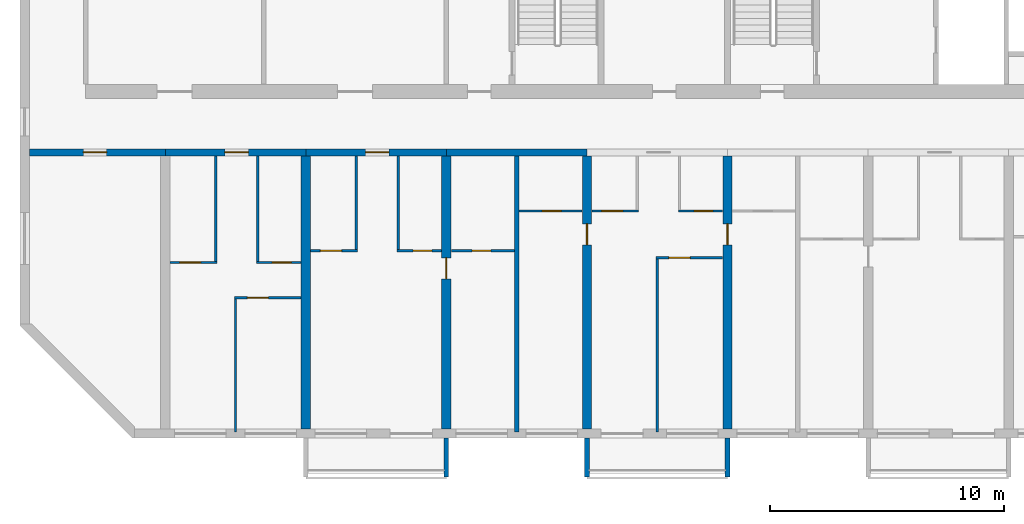
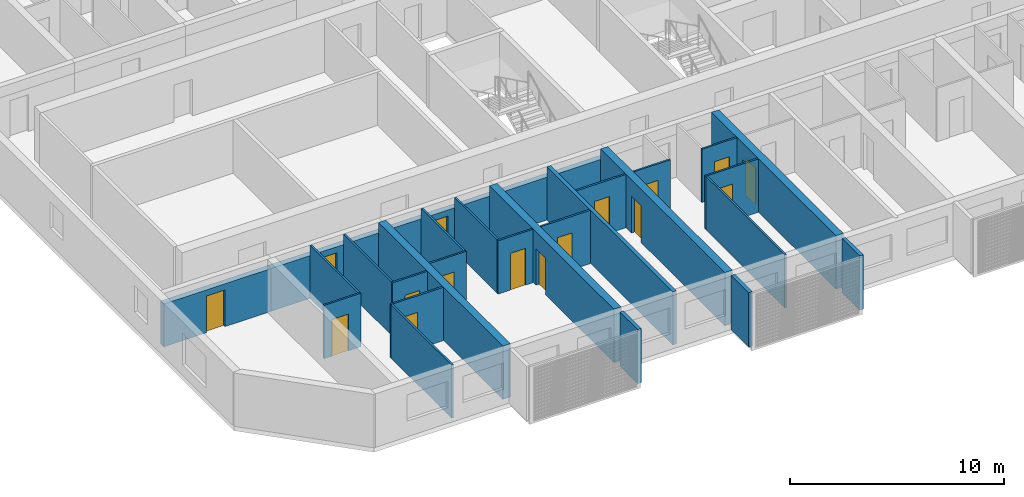
# One storey, part 2 of 38: 28 walls, 16 doors, 16 openings.
"""IFC4 building model written with IfcOpenShell, lengths in metres."""

from ifc_helpers import new_model, si_unit, direction, frame, frame_2d, origin, place, context, subcontext, project, spatial, polyline, rectangle, outline, extrude, source, transform, mapped, material, layer, layer_set, type_object, element, fill, save


model = new_model("IFC4")

# Units and contexts
model_context = context("Model", 3, precision=1e-05, world=origin(), true_north=direction((0.0, 1.0)))
body_context = subcontext(model_context, "Body", "Model", "MODEL_VIEW")
ifc_project = project(units=[si_unit("LENGTHUNIT", "METRE"), si_unit("AREAUNIT", "SQUARE_METRE"), si_unit("VOLUMEUNIT", "CUBIC_METRE"), si_unit("PLANEANGLEUNIT", "RADIAN"), si_unit("MASSUNIT", "GRAM", prefix="KILO")], contexts=[model_context])

# Site, building, storey
site_placement = place(None, origin())
site = spatial("IfcSite", under=ifc_project, at=site_placement, CompositionType="ELEMENT")
building_placement = place(site_placement, origin())
building = spatial("IfcBuilding", under=site, at=building_placement, Name="Poui Terraces", CompositionType="ELEMENT")
storey_placement = place(building_placement, frame((0.0, 0.0, 43.199951171875)))
storey = spatial("IfcBuildingStorey", under=building, at=storey_placement, Name="L11", CompositionType="ELEMENT", Elevation=43.199951171875)

# Wall, opening, door
ifc_material_1 = material(Name="Concrete 80 MPa", Category="concrete")
ifc_layer_1 = layer(ifc_material_1, 0.300048828125)
ifc_layer_set_1 = layer_set([ifc_layer_1], Name="Concrete 80 MPa")
wall_type_1 = type_object("IfcWallType", Name="CORRIDOR WALL 300 80MPa", PredefinedType="SHEAR", material=ifc_layer_set_1)
wall_1_placement = place(storey_placement, frame((0.199951171875, 12.0, 0.0), z_axis=(0.0, 0.0, 1.0), x_axis=(1.0, 0.0, 0.0)))
wall_1 = element("IfcWall", 1, at=wall_1_placement, inside=storey, type_object=wall_type_1, Name="CORRIDOR WALL LINE B BAY 1", PredefinedType="SHEAR", context=body_context, shape_type="SweptSolid", body=[
    extrude(rectangle(XDim=5.800048828125, YDim=0.300048828125, at=frame_2d((2.89990234375, 0.0))), origin(), (0.0, 0.0, 1.0), 2.449951171875),
])
opening_1_placement = place(wall_1_placement, frame((2.300048828125, 0.0, 0.0)))
opening_1 = element("IfcOpeningElement", 2, at=opening_1_placement, cuts=wall_1, Name="Opening D100", PredefinedType="OPENING", context=body_context, shape_type="SweptSolid", body=[
    extrude(rectangle(XDim=1.0, YDim=2.10009765625, at=frame_2d((0.5, 1.050048828125))), frame((0.0, 0.16015625, 0.0), z_axis=(0.0, -1.0, 0.0), x_axis=(1.0, 0.0, 0.0)), (0.0, 0.0, 1.0), 0.320068359375),
])
ifc_material_2 = material(Name="Solid core timber door", Category="wood")
door_type_1 = type_object("IfcDoorType", Name="ACCESSIBLE INTERNAL DOOR 1000 X 2100", OperationType="NOTDEFINED", PredefinedType="DOOR", material=ifc_material_2)
door_1_placement = place(opening_1_placement, frame((1.0, 0.0, 0.0), z_axis=(0.0, 0.0, 1.0), x_axis=(-1.0, 0.0, 0.0)))
door_1 = element("IfcDoor", 3, at=door_1_placement, inside=storey, type_object=door_type_1, Name="ACCESSIBLE INTERNAL DOOR 091", OperationType="SINGLE_SWING_RIGHT", OverallHeight=2.10009765625, OverallWidth=1.0, PredefinedType="DOOR", context=body_context, shape_type="SweptSolid", body=[
    extrude(rectangle(XDim=1.0, YDim=2.10009765625, at=frame_2d((0.5, 1.050048828125))), frame((0.0, 0.02490234375, 0.0), z_axis=(0.0, -1.0, 0.0), x_axis=(1.0, 0.0, 0.0)), (0.0, 0.0, 1.0), 0.050048828125),
])
fill(opening_1, door_1)

wall_2_placement = place(storey_placement, frame((6.0, 12.0, 0.0), z_axis=(0.0, 0.0, 1.0), x_axis=(1.0, 0.0, 0.0)))
wall_2 = element("IfcWall", 4, at=wall_2_placement, inside=storey, type_object=wall_type_1, Name="CORRIDOR WALL LINE B BAY 2", PredefinedType="SHEAR", context=body_context, shape_type="SweptSolid", body=[
    extrude(rectangle(XDim=6.0, YDim=0.300048828125, at=frame_2d((3.0, 0.0))), origin(), (0.0, 0.0, 1.0), 2.449951171875),
])
opening_2_placement = place(wall_2_placement, frame((2.550048828125, 0.0, 0.0)))
opening_2 = element("IfcOpeningElement", 5, at=opening_2_placement, cuts=wall_2, Name="Opening FD30S", PredefinedType="OPENING", context=body_context, shape_type="SweptSolid", body=[
    extrude(rectangle(XDim=1.0, YDim=2.10009765625, at=frame_2d((0.5, 1.050048828125))), frame((0.0, 0.16015625, 0.0), z_axis=(0.0, -1.0, 0.0), x_axis=(1.0, 0.0, 0.0)), (0.0, 0.0, 1.0), 0.320068359375),
])
ifc_material_3 = material(Name="Steel fire door", Category="steel")
door_type_2 = type_object("IfcDoorType", Name="FLAT ENTRANCE DOOR 1000 X 2100", OperationType="NOTDEFINED", PredefinedType="DOOR", material=ifc_material_3)
door_2_placement = place(opening_2_placement, frame((1.0, 0.0, 0.0), z_axis=(0.0, 0.0, 1.0), x_axis=(-1.0, 0.0, 0.0)))
door_2 = element("IfcDoor", 6, at=door_2_placement, inside=storey, type_object=door_type_2, Name="FLAT ENTRANCE DOOR 093", OperationType="SINGLE_SWING_LEFT", OverallHeight=2.10009765625, OverallWidth=1.0, PredefinedType="DOOR", context=body_context, shape_type="SweptSolid", body=[
    extrude(rectangle(XDim=1.0, YDim=2.10009765625, at=frame_2d((0.5, 1.050048828125))), frame((0.0, 0.02490234375, 0.0), z_axis=(0.0, -1.0, 0.0), x_axis=(1.0, 0.0, 0.0)), (0.0, 0.0, 1.0), 0.050048828125),
])
fill(opening_2, door_2)

wall_3_placement = place(storey_placement, frame((12.0, 12.0, 0.0), z_axis=(0.0, 0.0, 1.0), x_axis=(1.0, 0.0, 0.0)))
wall_3 = element("IfcWall", 7, at=wall_3_placement, inside=storey, type_object=wall_type_1, Name="CORRIDOR WALL LINE B BAY 3", PredefinedType="SHEAR", context=body_context, shape_type="SweptSolid", body=[
    extrude(rectangle(XDim=6.0, YDim=0.300048828125, at=frame_2d((3.0, 0.0))), origin(), (0.0, 0.0, 1.0), 2.449951171875),
])
opening_3_placement = place(wall_3_placement, frame((2.550048828125, 0.0, 0.0)))
opening_3 = element("IfcOpeningElement", 8, at=opening_3_placement, cuts=wall_3, Name="Opening FD30S", PredefinedType="OPENING", context=body_context, shape_type="SweptSolid", body=[
    extrude(rectangle(XDim=1.0, YDim=2.10009765625, at=frame_2d((0.5, 1.050048828125))), frame((0.0, 0.16015625, 0.0), z_axis=(0.0, -1.0, 0.0), x_axis=(1.0, 0.0, 0.0)), (0.0, 0.0, 1.0), 0.320068359375),
])
door_3_placement = place(opening_3_placement, frame((1.0, 0.0, 0.0), z_axis=(0.0, 0.0, 1.0), x_axis=(-1.0, 0.0, 0.0)))
door_3 = element("IfcDoor", 9, at=door_3_placement, inside=storey, type_object=door_type_2, Name="FLAT ENTRANCE DOOR 098", OperationType="SINGLE_SWING_LEFT", OverallHeight=2.10009765625, OverallWidth=1.0, PredefinedType="DOOR", context=body_context, shape_type="SweptSolid", body=[
    extrude(rectangle(XDim=1.0, YDim=2.10009765625, at=frame_2d((0.5, 1.050048828125))), frame((0.0, 0.02490234375, 0.0), z_axis=(0.0, -1.0, 0.0), x_axis=(1.0, 0.0, 0.0)), (0.0, 0.0, 1.0), 0.050048828125),
])
fill(opening_3, door_3)

# Walls
wall_4_placement = place(storey_placement, frame((18.0, 12.0, 0.0), z_axis=(0.0, 0.0, 1.0), x_axis=(1.0, 0.0, 0.0)))
element("IfcWall", 10, at=wall_4_placement, inside=storey, type_object=wall_type_1, Name="CORRIDOR WALL LINE B BAY 4", PredefinedType="SHEAR", context=body_context, shape_type="SweptSolid", body=[
    extrude(rectangle(XDim=6.0, YDim=0.300048828125, at=frame_2d((3.0, 0.0))), origin(), (0.0, 0.0, 1.0), 2.449951171875),
])
ifc_layer_2 = layer(ifc_material_1, 0.39990234375)
ifc_layer_set_2 = layer_set([ifc_layer_2], Name="Concrete 80 MPa")
wall_type_2 = type_object("IfcWallType", Name="CROSS WALL 400 80MPa", PredefinedType="SHEAR", material=ifc_layer_set_2)
wall_5_placement = place(storey_placement, frame((12.0, 0.199951171875, 0.0), z_axis=(0.0, 0.0, 1.0), x_axis=(0.0, 1.0, 0.0)))
element("IfcWall", 11, at=wall_5_placement, inside=storey, type_object=wall_type_2, Name="CROSS WALL LINE 3 SOUTH", PredefinedType="SHEAR", context=body_context, shape_type="SweptSolid", body=[
    extrude(rectangle(XDim=11.650146484375, YDim=0.39990234375, at=frame_2d((5.8251953125, 0.0))), origin(), (0.0, 0.0, 1.0), 3.050048828125),
])

# Wall, opening, door
wall_6_placement = place(storey_placement, frame((18.0, 0.199951171875, 0.0), z_axis=(0.0, 0.0, 1.0), x_axis=(0.0, 1.0, 0.0)))
wall_6 = element("IfcWall", 12, at=wall_6_placement, inside=storey, type_object=wall_type_2, Name="CROSS WALL LINE 4 SOUTH", PredefinedType="SHEAR", context=body_context, shape_type="SweptSolid", body=[
    extrude(rectangle(XDim=11.650146484375, YDim=0.39990234375, at=frame_2d((5.8251953125, 0.0))), origin(), (0.0, 0.0, 1.0), 3.050048828125),
])
opening_4_placement = place(wall_6_placement, frame((6.39990234375, 0.0, 0.0)))
opening_4 = element("IfcOpeningElement", 13, at=opening_4_placement, cuts=wall_6, Name="Opening D90", PredefinedType="OPENING", context=body_context, shape_type="SweptSolid", body=[
    extrude(rectangle(XDim=0.89990234375, YDim=2.10009765625, at=frame_2d((0.449951171875, 1.050048828125))), frame((0.0, 0.2099609375, 0.0), z_axis=(0.0, -1.0, 0.0), x_axis=(1.0, 0.0, 0.0)), (0.0, 0.0, 1.0), 0.419921875),
])
door_type_3 = type_object("IfcDoorType", Name="INTERNAL DOOR 900 X 2100", OperationType="NOTDEFINED", PredefinedType="DOOR", material=ifc_material_2)
door_4_placement = place(opening_4_placement, frame((0.89990234375, 0.0, 0.0), z_axis=(0.0, 0.0, 1.0), x_axis=(-1.0, 0.0, 0.0)))
door_4 = element("IfcDoor", 14, at=door_4_placement, inside=storey, type_object=door_type_3, Name="INTERNAL DOOR 100", OperationType="SINGLE_SWING_LEFT", OverallHeight=2.10009765625, OverallWidth=0.89990234375, PredefinedType="DOOR", context=body_context, shape_type="SweptSolid", body=[
    extrude(rectangle(XDim=0.89990234375, YDim=2.10009765625, at=frame_2d((0.449951171875, 1.050048828125))), frame((0.0, 0.02490234375, 0.0), z_axis=(0.0, -1.0, 0.0), x_axis=(1.0, 0.0, 0.0)), (0.0, 0.0, 1.0), 0.050048828125),
])
fill(opening_4, door_4)

wall_7_placement = place(storey_placement, frame((24.0, 0.199951171875, 0.0), z_axis=(0.0, 0.0, 1.0), x_axis=(0.0, 1.0, 0.0)))
wall_7 = element("IfcWall", 15, at=wall_7_placement, inside=storey, type_object=wall_type_2, Name="CROSS WALL LINE 5 SOUTH", PredefinedType="SHEAR", context=body_context, shape_type="SweptSolid", body=[
    extrude(rectangle(XDim=11.650146484375, YDim=0.39990234375, at=frame_2d((5.8251953125, 0.0))), origin(), (0.0, 0.0, 1.0), 3.050048828125),
])
opening_5_placement = place(wall_7_placement, frame((7.85009765625, 0.0, 0.0)))
opening_5 = element("IfcOpeningElement", 16, at=opening_5_placement, cuts=wall_7, Name="Opening D90", PredefinedType="OPENING", context=body_context, shape_type="SweptSolid", body=[
    extrude(rectangle(XDim=0.89990234375, YDim=2.10009765625, at=frame_2d((0.449951171875, 1.050048828125))), frame((0.0, 0.2099609375, 0.0), z_axis=(0.0, -1.0, 0.0), x_axis=(1.0, 0.0, 0.0)), (0.0, 0.0, 1.0), 0.419921875),
])
door_5_placement = place(opening_5_placement, origin())
door_5 = element("IfcDoor", 17, at=door_5_placement, inside=storey, type_object=door_type_3, Name="INTERNAL DOOR 103", OperationType="SINGLE_SWING_RIGHT", OverallHeight=2.10009765625, OverallWidth=0.89990234375, PredefinedType="DOOR", context=body_context, shape_type="SweptSolid", body=[
    extrude(rectangle(XDim=0.89990234375, YDim=2.10009765625, at=frame_2d((0.449951171875, 1.050048828125))), frame((0.0, 0.02490234375, 0.0), z_axis=(0.0, -1.0, 0.0), x_axis=(1.0, 0.0, 0.0)), (0.0, 0.0, 1.0), 0.050048828125),
])
fill(opening_5, door_5)

wall_8_placement = place(storey_placement, frame((30.0, 0.199951171875, 0.0), z_axis=(0.0, 0.0, 1.0), x_axis=(0.0, 1.0, 0.0)))
wall_8 = element("IfcWall", 18, at=wall_8_placement, inside=storey, type_object=wall_type_2, Name="CROSS WALL LINE 6 SOUTH", PredefinedType="SHEAR", context=body_context, shape_type="SweptSolid", body=[
    extrude(rectangle(XDim=11.650146484375, YDim=0.39990234375, at=frame_2d((5.8251953125, 0.0))), origin(), (0.0, 0.0, 1.0), 3.050048828125),
])
opening_6_placement = place(wall_8_placement, frame((7.85009765625, 0.0, 0.0)))
opening_6 = element("IfcOpeningElement", 19, at=opening_6_placement, cuts=wall_8, Name="Opening D90", PredefinedType="OPENING", context=body_context, shape_type="SweptSolid", body=[
    extrude(rectangle(XDim=0.89990234375, YDim=2.10009765625, at=frame_2d((0.449951171875, 1.050048828125))), frame((0.0, 0.2099609375, 0.0), z_axis=(0.0, -1.0, 0.0), x_axis=(1.0, 0.0, 0.0)), (0.0, 0.0, 1.0), 0.419921875),
])
door_6_placement = place(opening_6_placement, frame((0.89990234375, 0.0, 0.0), z_axis=(0.0, 0.0, 1.0), x_axis=(-1.0, 0.0, 0.0)))
door_6 = element("IfcDoor", 20, at=door_6_placement, inside=storey, type_object=door_type_3, Name="INTERNAL DOOR 108", OperationType="SINGLE_SWING_LEFT", OverallHeight=2.10009765625, OverallWidth=0.89990234375, PredefinedType="DOOR", context=body_context, shape_type="SweptSolid", body=[
    extrude(rectangle(XDim=0.89990234375, YDim=2.10009765625, at=frame_2d((0.449951171875, 1.050048828125))), frame((0.0, 0.02490234375, 0.0), z_axis=(0.0, -1.0, 0.0), x_axis=(1.0, 0.0, 0.0)), (0.0, 0.0, 1.0), 0.050048828125),
])
fill(opening_6, door_6)

ifc_material_4 = material(Name="Plasterboard partition")
ifc_layer_3 = layer(ifc_material_4, 0.10009765625)
ifc_layer_set_3 = layer_set([ifc_layer_3], Name="Plasterboard partition")
wall_type_3 = type_object("IfcWallType", Name="FLAT PARTITION 100", PredefinedType="PARTITIONING", material=ifc_layer_set_3)
wall_9_placement = place(storey_placement, frame((8.949951171875, 5.800048828125, 0.0), z_axis=(0.0, 0.0, 1.0), x_axis=(1.0, 0.0, 0.0)))
wall_9 = element("IfcWall", 21, at=wall_9_placement, inside=storey, type_object=wall_type_3, Name="FLAT PARTITION 100", PredefinedType="PARTITIONING", context=body_context, shape_type="SweptSolid", body=[
    extrude(rectangle(XDim=2.840087890625, YDim=0.10009765625, at=frame_2d((1.419921875, 0.0))), origin(), (0.0, 0.0, 1.0), 3.050048828125),
])
opening_7_placement = place(wall_9_placement, frame((0.550048828125, 0.0, 0.0)))
opening_7 = element("IfcOpeningElement", 22, at=opening_7_placement, cuts=wall_9, Name="Opening D90", PredefinedType="OPENING", context=body_context, shape_type="SweptSolid", body=[
    extrude(rectangle(XDim=0.89990234375, YDim=2.10009765625, at=frame_2d((0.449951171875, 1.050048828125))), frame((0.0, 0.06005859375, 0.0), z_axis=(0.0, -1.0, 0.0), x_axis=(1.0, 0.0, 0.0)), (0.0, 0.0, 1.0), 0.1201171875),
])
door_7_placement = place(opening_7_placement, origin())
door_7 = element("IfcDoor", 23, at=door_7_placement, inside=storey, type_object=door_type_3, Name="INTERNAL DOOR 094", OperationType="SINGLE_SWING_RIGHT", OverallHeight=2.10009765625, OverallWidth=0.89990234375, PredefinedType="DOOR", context=body_context, shape_type="SweptSolid", body=[
    extrude(rectangle(XDim=0.89990234375, YDim=2.10009765625, at=frame_2d((0.449951171875, 1.050048828125))), frame((0.0, 0.02490234375, 0.0), z_axis=(0.0, -1.0, 0.0), x_axis=(1.0, 0.0, 0.0)), (0.0, 0.0, 1.0), 0.050048828125),
])
fill(opening_7, door_7)

wall_10_placement = place(storey_placement, frame((6.2099609375, 7.300048828125, 0.0), z_axis=(0.0, 0.0, 1.0), x_axis=(1.0, 0.0, 0.0)))
wall_10 = element("IfcWall", 24, at=wall_10_placement, inside=storey, type_object=wall_type_3, Name="FLAT PARTITION 100", PredefinedType="PARTITIONING", context=body_context, shape_type="SweptSolid", body=[
    extrude(rectangle(XDim=1.989990234375, YDim=0.10009765625, at=frame_2d((0.9951171875, 0.0))), origin(), (0.0, 0.0, 1.0), 3.050048828125),
])
opening_8_placement = place(wall_10_placement, frame((0.4150390625, 0.0, 0.0)))
opening_8 = element("IfcOpeningElement", 25, at=opening_8_placement, cuts=wall_10, Name="Opening D90", PredefinedType="OPENING", context=body_context, shape_type="SweptSolid", body=[
    extrude(rectangle(XDim=0.89990234375, YDim=2.10009765625, at=frame_2d((0.449951171875, 1.050048828125))), frame((0.0, 0.06005859375, 0.0), z_axis=(0.0, -1.0, 0.0), x_axis=(1.0, 0.0, 0.0)), (0.0, 0.0, 1.0), 0.1201171875),
])
door_8_placement = place(opening_8_placement, origin())
door_8 = element("IfcDoor", 26, at=door_8_placement, inside=storey, type_object=door_type_3, Name="INTERNAL DOOR 092", OperationType="SINGLE_SWING_RIGHT", OverallHeight=2.10009765625, OverallWidth=0.89990234375, PredefinedType="DOOR", context=body_context, shape_type="SweptSolid", body=[
    extrude(rectangle(XDim=0.89990234375, YDim=2.10009765625, at=frame_2d((0.449951171875, 1.050048828125))), frame((0.0, 0.02490234375, 0.0), z_axis=(0.0, -1.0, 0.0), x_axis=(1.0, 0.0, 0.0)), (0.0, 0.0, 1.0), 0.050048828125),
])
fill(opening_8, door_8)

wall_11_placement = place(storey_placement, frame((9.89990234375, 7.300048828125, 0.0), z_axis=(0.0, 0.0, 1.0), x_axis=(1.0, 0.0, 0.0)))
wall_11 = element("IfcWall", 27, at=wall_11_placement, inside=storey, type_object=wall_type_3, Name="FLAT PARTITION 100", PredefinedType="PARTITIONING", context=body_context, shape_type="SweptSolid", body=[
    extrude(rectangle(XDim=1.89013671875, YDim=0.10009765625, at=frame_2d((0.945068359375, 0.0))), origin(), (0.0, 0.0, 1.0), 3.050048828125),
])
opening_9_placement = place(wall_11_placement, frame((0.675048828125, 0.0, 0.0)))
opening_9 = element("IfcOpeningElement", 28, at=opening_9_placement, cuts=wall_11, Name="Opening D80", PredefinedType="OPENING", context=body_context, shape_type="SweptSolid", body=[
    extrude(rectangle(XDim=0.800048828125, YDim=2.10009765625, at=frame_2d((0.39990234375, 1.050048828125))), frame((0.0, 0.06005859375, 0.0), z_axis=(0.0, -1.0, 0.0), x_axis=(1.0, 0.0, 0.0)), (0.0, 0.0, 1.0), 0.1201171875),
])
door_type_4 = type_object("IfcDoorType", Name="BATHROOM, LAUNDRY AND STORE DOOR 800 X 2100", OperationType="NOTDEFINED", PredefinedType="DOOR", material=ifc_material_2)
door_9_placement = place(opening_9_placement, origin())
door_9 = element("IfcDoor", 29, at=door_9_placement, inside=storey, type_object=door_type_4, Name="BATHROOM, LAUNDRY AND STORE DOOR 095", OperationType="SINGLE_SWING_LEFT", OverallHeight=2.10009765625, OverallWidth=0.800048828125, PredefinedType="DOOR", context=body_context, shape_type="SweptSolid", body=[
    extrude(rectangle(XDim=0.800048828125, YDim=2.10009765625, at=frame_2d((0.39990234375, 1.050048828125))), frame((0.0, 0.02490234375, 0.0), z_axis=(0.0, -1.0, 0.0), x_axis=(1.0, 0.0, 0.0)), (0.0, 0.0, 1.0), 0.050048828125),
])
fill(opening_9, door_9)

wall_12_placement = place(storey_placement, frame((26.949951171875, 7.5, 0.0), z_axis=(0.0, 0.0, 1.0), x_axis=(1.0, 0.0, 0.0)))
wall_12 = element("IfcWall", 30, at=wall_12_placement, inside=storey, type_object=wall_type_3, Name="FLAT PARTITION 100", PredefinedType="PARTITIONING", context=body_context, shape_type="SweptSolid", body=[
    extrude(rectangle(XDim=2.840087890625, YDim=0.10009765625, at=frame_2d((1.419921875, 0.0))), origin(), (0.0, 0.0, 1.0), 3.050048828125),
])
opening_10_placement = place(wall_12_placement, frame((0.550048828125, 0.0, 0.0)))
opening_10 = element("IfcOpeningElement", 31, at=opening_10_placement, cuts=wall_12, Name="Opening D90", PredefinedType="OPENING", context=body_context, shape_type="SweptSolid", body=[
    extrude(rectangle(XDim=0.89990234375, YDim=2.10009765625, at=frame_2d((0.449951171875, 1.050048828125))), frame((0.0, 0.06005859375, 0.0), z_axis=(0.0, -1.0, 0.0), x_axis=(1.0, 0.0, 0.0)), (0.0, 0.0, 1.0), 0.1201171875),
])
door_10_placement = place(opening_10_placement, origin())
door_10 = element("IfcDoor", 32, at=door_10_placement, inside=storey, type_object=door_type_3, Name="INTERNAL DOOR 106", OperationType="SINGLE_SWING_RIGHT", OverallHeight=2.10009765625, OverallWidth=0.89990234375, PredefinedType="DOOR", context=body_context, shape_type="SweptSolid", body=[
    extrude(rectangle(XDim=0.89990234375, YDim=2.10009765625, at=frame_2d((0.449951171875, 1.050048828125))), frame((0.0, 0.02490234375, 0.0), z_axis=(0.0, -1.0, 0.0), x_axis=(1.0, 0.0, 0.0)), (0.0, 0.0, 1.0), 0.050048828125),
])
fill(opening_10, door_10)

wall_13_placement = place(storey_placement, frame((12.2099609375, 7.800048828125, 0.0), z_axis=(0.0, 0.0, 1.0), x_axis=(1.0, 0.0, 0.0)))
wall_13 = element("IfcWall", 33, at=wall_13_placement, inside=storey, type_object=wall_type_3, Name="FLAT PARTITION 100", PredefinedType="PARTITIONING", context=body_context, shape_type="SweptSolid", body=[
    extrude(rectangle(XDim=1.989990234375, YDim=0.10009765625, at=frame_2d((0.9951171875, 0.0))), origin(), (0.0, 0.0, 1.0), 3.050048828125),
])
opening_11_placement = place(wall_13_placement, frame((0.4150390625, 0.0, 0.0)))
opening_11 = element("IfcOpeningElement", 34, at=opening_11_placement, cuts=wall_13, Name="Opening D90", PredefinedType="OPENING", context=body_context, shape_type="SweptSolid", body=[
    extrude(rectangle(XDim=0.89990234375, YDim=2.10009765625, at=frame_2d((0.449951171875, 1.050048828125))), frame((0.0, 0.06005859375, 0.0), z_axis=(0.0, -1.0, 0.0), x_axis=(1.0, 0.0, 0.0)), (0.0, 0.0, 1.0), 0.1201171875),
])
door_11_placement = place(opening_11_placement, origin())
door_11 = element("IfcDoor", 35, at=door_11_placement, inside=storey, type_object=door_type_3, Name="INTERNAL DOOR 097", OperationType="SINGLE_SWING_RIGHT", OverallHeight=2.10009765625, OverallWidth=0.89990234375, PredefinedType="DOOR", context=body_context, shape_type="SweptSolid", body=[
    extrude(rectangle(XDim=0.89990234375, YDim=2.10009765625, at=frame_2d((0.449951171875, 1.050048828125))), frame((0.0, 0.02490234375, 0.0), z_axis=(0.0, -1.0, 0.0), x_axis=(1.0, 0.0, 0.0)), (0.0, 0.0, 1.0), 0.050048828125),
])
fill(opening_11, door_11)

wall_14_placement = place(storey_placement, frame((15.89990234375, 7.800048828125, 0.0), z_axis=(0.0, 0.0, 1.0), x_axis=(1.0, 0.0, 0.0)))
wall_14 = element("IfcWall", 36, at=wall_14_placement, inside=storey, type_object=wall_type_3, Name="FLAT PARTITION 100", PredefinedType="PARTITIONING", context=body_context, shape_type="SweptSolid", body=[
    extrude(rectangle(XDim=1.89013671875, YDim=0.10009765625, at=frame_2d((0.945068359375, 0.0))), origin(), (0.0, 0.0, 1.0), 3.050048828125),
])
opening_12_placement = place(wall_14_placement, frame((0.675048828125, 0.0, 0.0)))
opening_12 = element("IfcOpeningElement", 37, at=opening_12_placement, cuts=wall_14, Name="Opening D80", PredefinedType="OPENING", context=body_context, shape_type="SweptSolid", body=[
    extrude(rectangle(XDim=0.800048828125, YDim=2.10009765625, at=frame_2d((0.39990234375, 1.050048828125))), frame((0.0, 0.06005859375, 0.0), z_axis=(0.0, -1.0, 0.0), x_axis=(1.0, 0.0, 0.0)), (0.0, 0.0, 1.0), 0.1201171875),
])
door_12_placement = place(opening_12_placement, origin())
door_12 = element("IfcDoor", 38, at=door_12_placement, inside=storey, type_object=door_type_4, Name="BATHROOM, LAUNDRY AND STORE DOOR 099", OperationType="SINGLE_SWING_LEFT", OverallHeight=2.10009765625, OverallWidth=0.800048828125, PredefinedType="DOOR", context=body_context, shape_type="SweptSolid", body=[
    extrude(rectangle(XDim=0.800048828125, YDim=2.10009765625, at=frame_2d((0.39990234375, 1.050048828125))), frame((0.0, 0.02490234375, 0.0), z_axis=(0.0, -1.0, 0.0), x_axis=(1.0, 0.0, 0.0)), (0.0, 0.0, 1.0), 0.050048828125),
])
fill(opening_12, door_12)

wall_15_placement = place(storey_placement, frame((18.2099609375, 7.800048828125, 0.0), z_axis=(0.0, 0.0, 1.0), x_axis=(1.0, 0.0, 0.0)))
wall_15 = element("IfcWall", 39, at=wall_15_placement, inside=storey, type_object=wall_type_3, Name="FLAT PARTITION 100", PredefinedType="PARTITIONING", context=body_context, shape_type="SweptSolid", body=[
    extrude(rectangle(XDim=2.68994140625, YDim=0.10009765625, at=frame_2d((1.344970703125, 0.0))), origin(), (0.0, 0.0, 1.0), 3.050048828125),
])
opening_13_placement = place(wall_15_placement, frame((0.889892578125, 0.0, 0.0)))
opening_13 = element("IfcOpeningElement", 40, at=opening_13_placement, cuts=wall_15, Name="Opening D80", PredefinedType="OPENING", context=body_context, shape_type="SweptSolid", body=[
    extrude(rectangle(XDim=0.800048828125, YDim=2.10009765625, at=frame_2d((0.39990234375, 1.050048828125))), frame((0.0, 0.06005859375, 0.0), z_axis=(0.0, -1.0, 0.0), x_axis=(1.0, 0.0, 0.0)), (0.0, 0.0, 1.0), 0.1201171875),
])
door_13_placement = place(opening_13_placement, origin())
door_13 = element("IfcDoor", 41, at=door_13_placement, inside=storey, type_object=door_type_4, Name="BATHROOM, LAUNDRY AND STORE DOOR 096", OperationType="SINGLE_SWING_LEFT", OverallHeight=2.10009765625, OverallWidth=0.800048828125, PredefinedType="DOOR", context=body_context, shape_type="SweptSolid", body=[
    extrude(rectangle(XDim=0.800048828125, YDim=2.10009765625, at=frame_2d((0.39990234375, 1.050048828125))), frame((0.0, 0.02490234375, 0.0), z_axis=(0.0, -1.0, 0.0), x_axis=(1.0, 0.0, 0.0)), (0.0, 0.0, 1.0), 0.050048828125),
])
fill(opening_13, door_13)

wall_16_placement = place(storey_placement, frame((21.10009765625, 9.5, 0.0), z_axis=(0.0, 0.0, 1.0), x_axis=(1.0, 0.0, 0.0)))
wall_16 = element("IfcWall", 42, at=wall_16_placement, inside=storey, type_object=wall_type_3, Name="FLAT PARTITION 100", PredefinedType="PARTITIONING", context=body_context, shape_type="SweptSolid", body=[
    extrude(rectangle(XDim=2.68994140625, YDim=0.10009765625, at=frame_2d((1.344970703125, 0.0))), origin(), (0.0, 0.0, 1.0), 3.050048828125),
])
opening_14_placement = place(wall_16_placement, frame((1.0, 0.0, 0.0)))
opening_14 = element("IfcOpeningElement", 43, at=opening_14_placement, cuts=wall_16, Name="Opening D80", PredefinedType="OPENING", context=body_context, shape_type="SweptSolid", body=[
    extrude(rectangle(XDim=0.800048828125, YDim=2.10009765625, at=frame_2d((0.39990234375, 1.050048828125))), frame((0.0, 0.06005859375, 0.0), z_axis=(0.0, -1.0, 0.0), x_axis=(1.0, 0.0, 0.0)), (0.0, 0.0, 1.0), 0.1201171875),
])
door_14_placement = place(opening_14_placement, origin())
door_14 = element("IfcDoor", 44, at=door_14_placement, inside=storey, type_object=door_type_4, Name="BATHROOM, LAUNDRY AND STORE DOOR 101", OperationType="SINGLE_SWING_RIGHT", OverallHeight=2.10009765625, OverallWidth=0.800048828125, PredefinedType="DOOR", context=body_context, shape_type="SweptSolid", body=[
    extrude(rectangle(XDim=0.800048828125, YDim=2.10009765625, at=frame_2d((0.39990234375, 1.050048828125))), frame((0.0, 0.02490234375, 0.0), z_axis=(0.0, -1.0, 0.0), x_axis=(1.0, 0.0, 0.0)), (0.0, 0.0, 1.0), 0.050048828125),
])
fill(opening_14, door_14)

wall_17_placement = place(storey_placement, frame((24.2099609375, 9.5, 0.0), z_axis=(0.0, 0.0, 1.0), x_axis=(1.0, 0.0, 0.0)))
wall_17 = element("IfcWall", 45, at=wall_17_placement, inside=storey, type_object=wall_type_3, Name="FLAT PARTITION 100", PredefinedType="PARTITIONING", context=body_context, shape_type="SweptSolid", body=[
    extrude(rectangle(XDim=1.989990234375, YDim=0.10009765625, at=frame_2d((0.9951171875, 0.0))), origin(), (0.0, 0.0, 1.0), 3.050048828125),
])
opening_15_placement = place(wall_17_placement, frame((0.4150390625, 0.0, 0.0)))
opening_15 = element("IfcOpeningElement", 46, at=opening_15_placement, cuts=wall_17, Name="Opening D90", PredefinedType="OPENING", context=body_context, shape_type="SweptSolid", body=[
    extrude(rectangle(XDim=0.89990234375, YDim=2.10009765625, at=frame_2d((0.449951171875, 1.050048828125))), frame((0.0, 0.06005859375, 0.0), z_axis=(0.0, -1.0, 0.0), x_axis=(1.0, 0.0, 0.0)), (0.0, 0.0, 1.0), 0.1201171875),
])
door_15_placement = place(opening_15_placement, origin())
door_15 = element("IfcDoor", 47, at=door_15_placement, inside=storey, type_object=door_type_3, Name="INTERNAL DOOR 104", OperationType="SINGLE_SWING_RIGHT", OverallHeight=2.10009765625, OverallWidth=0.89990234375, PredefinedType="DOOR", context=body_context, shape_type="SweptSolid", body=[
    extrude(rectangle(XDim=0.89990234375, YDim=2.10009765625, at=frame_2d((0.449951171875, 1.050048828125))), frame((0.0, 0.02490234375, 0.0), z_axis=(0.0, -1.0, 0.0), x_axis=(1.0, 0.0, 0.0)), (0.0, 0.0, 1.0), 0.050048828125),
])
fill(opening_15, door_15)

wall_18_placement = place(storey_placement, frame((27.89990234375, 9.5, 0.0), z_axis=(0.0, 0.0, 1.0), x_axis=(1.0, 0.0, 0.0)))
wall_18 = element("IfcWall", 48, at=wall_18_placement, inside=storey, type_object=wall_type_3, Name="FLAT PARTITION 100", PredefinedType="PARTITIONING", context=body_context, shape_type="SweptSolid", body=[
    extrude(rectangle(XDim=1.89013671875, YDim=0.10009765625, at=frame_2d((0.945068359375, 0.0))), origin(), (0.0, 0.0, 1.0), 3.050048828125),
])
opening_16_placement = place(wall_18_placement, frame((0.675048828125, 0.0, 0.0)))
opening_16 = element("IfcOpeningElement", 49, at=opening_16_placement, cuts=wall_18, Name="Opening D80", PredefinedType="OPENING", context=body_context, shape_type="SweptSolid", body=[
    extrude(rectangle(XDim=0.800048828125, YDim=2.10009765625, at=frame_2d((0.39990234375, 1.050048828125))), frame((0.0, 0.06005859375, 0.0), z_axis=(0.0, -1.0, 0.0), x_axis=(1.0, 0.0, 0.0)), (0.0, 0.0, 1.0), 0.1201171875),
])
door_16_placement = place(opening_16_placement, origin())
door_16 = element("IfcDoor", 50, at=door_16_placement, inside=storey, type_object=door_type_4, Name="BATHROOM, LAUNDRY AND STORE DOOR 107", OperationType="SINGLE_SWING_LEFT", OverallHeight=2.10009765625, OverallWidth=0.800048828125, PredefinedType="DOOR", context=body_context, shape_type="SweptSolid", body=[
    extrude(rectangle(XDim=0.800048828125, YDim=2.10009765625, at=frame_2d((0.39990234375, 1.050048828125))), frame((0.0, 0.02490234375, 0.0), z_axis=(0.0, -1.0, 0.0), x_axis=(1.0, 0.0, 0.0)), (0.0, 0.0, 1.0), 0.050048828125),
])
fill(opening_16, door_16)

# Walls
wall_19_placement = place(storey_placement, frame((8.14990234375, 7.35009765625, 0.0), z_axis=(0.0, 0.0, 1.0), x_axis=(0.0, 1.0, 0.0)))
element("IfcWall", 51, at=wall_19_placement, inside=storey, type_object=wall_type_3, Name="FLAT PARTITION 100", PredefinedType="PARTITIONING", context=body_context, shape_type="SweptSolid", body=[
    extrude(rectangle(XDim=4.489990234375, YDim=0.10009765625, at=frame_2d((2.2451171875, 0.0))), origin(), (0.0, 0.0, 1.0), 3.050048828125),
])
wall_20_placement = place(storey_placement, frame((9.0, 0.06005859375, 0.0), z_axis=(0.0, 0.0, 1.0), x_axis=(0.0, 1.0, 0.0)))
element("IfcWall", 52, at=wall_20_placement, inside=storey, type_object=wall_type_3, Name="FLAT PARTITION 100", PredefinedType="PARTITIONING", context=body_context, shape_type="SweptSolid", body=[
    extrude(rectangle(XDim=5.68994140625, YDim=0.10009765625, at=frame_2d((2.844970703125, 0.0))), origin(), (0.0, 0.0, 1.0), 3.050048828125),
])
wall_21_placement = place(storey_placement, frame((9.949951171875, 7.35009765625, 0.0), z_axis=(0.0, 0.0, 1.0), x_axis=(0.0, 1.0, 0.0)))
element("IfcWall", 53, at=wall_21_placement, inside=storey, type_object=wall_type_3, Name="FLAT PARTITION 100", PredefinedType="PARTITIONING", context=body_context, shape_type="SweptSolid", body=[
    extrude(rectangle(XDim=4.489990234375, YDim=0.10009765625, at=frame_2d((2.2451171875, 0.0))), origin(), (0.0, 0.0, 1.0), 3.050048828125),
])
for number, where, z_axis, x_axis, name in (
    (54, (14.14990234375, 7.85009765625, 0.0), (0.0, 0.0, 1.0), (0.0, 1.0, 0.0), "FLAT PARTITION 100"),
    (55, (15.949951171875, 7.85009765625, 0.0), (0.0, 0.0, 1.0), (0.0, 1.0, 0.0), "FLAT PARTITION 100"),
):
    element("IfcWall", number, at=place(storey_placement, frame(where, z_axis=z_axis, x_axis=x_axis)), inside=storey, type_object=wall_type_3, Name=name, PredefinedType="PARTITIONING", context=body_context, shape_type="SweptSolid", body=[
        extrude(rectangle(XDim=3.989990234375, YDim=0.10009765625, at=frame_2d((1.9951171875, 0.0))), origin(), (0.0, 0.0, 1.0), 3.050048828125),
    ])
wall_22_placement = place(storey_placement, frame((27.0, 0.06005859375, 0.0), z_axis=(0.0, 0.0, 1.0), x_axis=(0.0, 1.0, 0.0)))
element("IfcWall", 56, at=wall_22_placement, inside=storey, type_object=wall_type_3, Name="FLAT PARTITION 100", PredefinedType="PARTITIONING", context=body_context, shape_type="SweptSolid", body=[
    extrude(rectangle(XDim=7.389892578125, YDim=0.10009765625, at=frame_2d((3.69482421875, 0.0))), origin(), (0.0, 0.0, 1.0), 3.050048828125),
])
ifc_material_5 = material(Name="Fire-rated masonry wall", Category="masonry")
ifc_layer_4 = layer(ifc_material_5, 0.199951171875)
ifc_layer_set_4 = layer_set([ifc_layer_4], Name="Fire-rated masonry wall")
wall_type_4 = type_object("IfcWallType", Name="FLAT PARTY WALL 200", PredefinedType="PARTITIONING", material=ifc_layer_set_4)
wall_23_placement = place(storey_placement, frame((21.0, 0.06005859375, 0.0), z_axis=(0.0, 0.0, 1.0), x_axis=(0.0, 1.0, 0.0)))
element("IfcWall", 57, at=wall_23_placement, inside=storey, type_object=wall_type_4, Name="FLAT PARTY WALL 200", PredefinedType="PARTITIONING", context=body_context, shape_type="SweptSolid", body=[
    extrude(rectangle(XDim=11.780029296875, YDim=0.199951171875, at=frame_2d((5.89013671875, 0.0))), origin(), (0.0, 0.0, 1.0), 3.050048828125),
])
ifc_material_6 = material(Name="Precast concrete 40 MPa", Category="concrete")
ifc_layer_5 = layer(ifc_material_6, 0.199951171875)
ifc_layer_set_5 = layer_set([ifc_layer_5], Name="Precast concrete 40 MPa")
wall_type_5 = type_object("IfcWallType", Name="REAR FIN 200", PredefinedType="STANDARD", material=ifc_layer_set_5)
shared_shape = source(origin(), body_context, "Body", "SweptSolid", [
    extrude(outline(polyline([(0.0, 0.0), (0.2001953125, 0.0), (0.2001953125, 1.650146484375), (0.0, 1.650146484375), (0.0, 0.0)])), origin(), (0.0, 0.0, 1.0), 3.10009765625),
])
for number, where, name in (
    (58, (17.89990234375, -1.85009765625, 0.0), "REAR FIN"),
    (59, (23.89990234375, -1.85009765625, 0.0), "REAR FIN"),
    (60, (29.89990234375, -1.85009765625, 0.0), "REAR FIN"),
):
    element("IfcWall", number, at=place(storey_placement, frame(where)), inside=storey, type_object=wall_type_5, Name=name, PredefinedType="STANDARD", context=body_context, shape_type="MappedRepresentation", body=[
        mapped(shared_shape, transform((0.0, 0.0, 0.0))),
    ])

save(model, "model.ifc")
